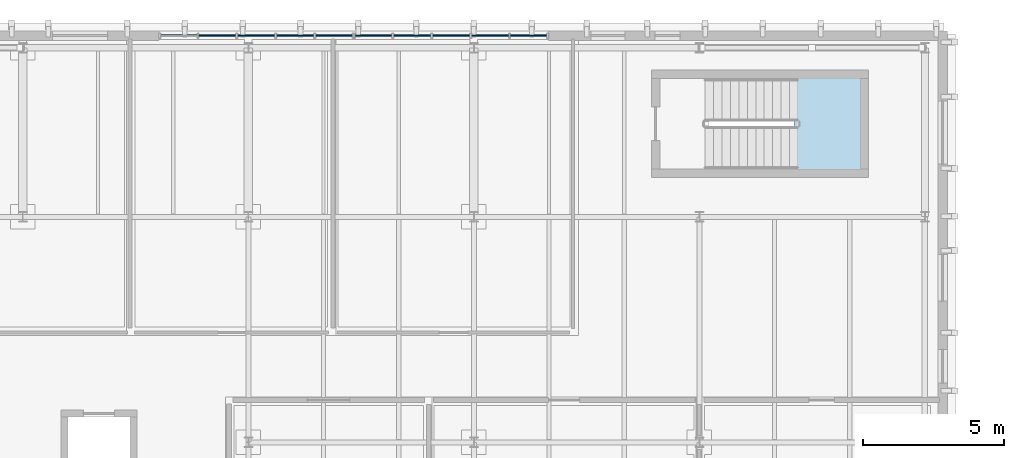
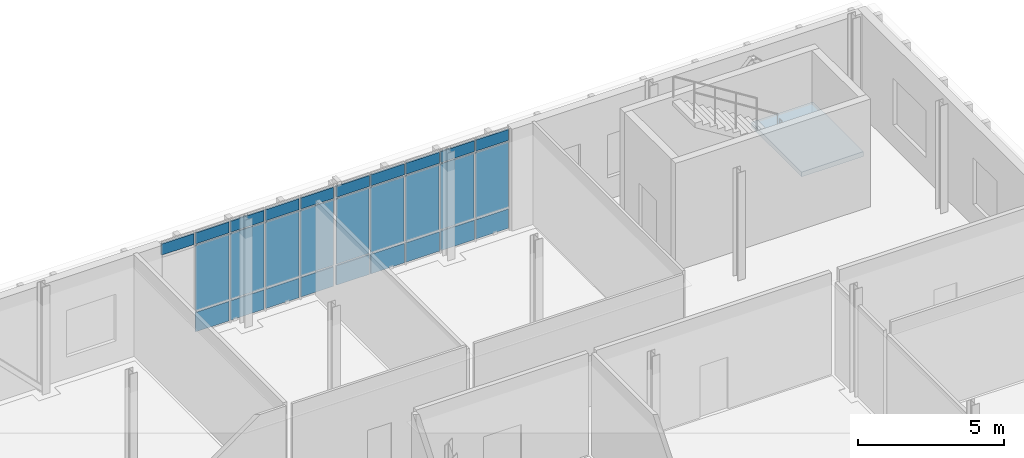
# One storey, part 52 of 86: 28 plates, 1 slab, 3 elements without a shape of their own.
"""IFC4 building model written with IfcOpenShell, lengths in metres."""

from ifc_helpers import new_model, si_unit, direction, frame, origin, origin_2d, place, context, subcontext, project, spatial, polyline, rectangle, outline, extrude, material, layer, layer_set, type_object, element, aggregate, save


model = new_model("IFC4")

# Units and contexts
model_context = context("Model", 3, precision=1e-05, world=origin(), true_north=direction((0.0, 1.0)))
body_context = subcontext(model_context, "Body", "Model", "MODEL_VIEW")
ifc_project = project(units=[si_unit("LENGTHUNIT", "METRE"), si_unit("AREAUNIT", "SQUARE_METRE"), si_unit("VOLUMEUNIT", "CUBIC_METRE"), si_unit("PLANEANGLEUNIT", "RADIAN"), si_unit("MASSUNIT", "GRAM", prefix="KILO")], contexts=[model_context])

# Site, building, storey
site_placement = place(None, origin())
site = spatial("IfcSite", under=ifc_project, at=site_placement, CompositionType="ELEMENT")
building_placement = place(site_placement, origin())
building = spatial("IfcBuilding", under=site, at=building_placement, Name="Cymarion Research Institute", CompositionType="ELEMENT")
storey_placement = place(building_placement, frame((0.0, 0.0, 13.800048828125)))
storey = spatial("IfcBuildingStorey", under=building, at=storey_placement, Name="L03", CompositionType="ELEMENT", Elevation=13.800048828125)

# Curtain wall, plates
ifc_material_1 = material(Name="Anodised aluminium unitised curtain wall with Low-E glazing", Category="aluminium")
curtain_wall_type = type_object("IfcCurtainWallType", Name="UNITISED CURTAIN WALL CW23 6910X4250", PredefinedType="NOTDEFINED", material=ifc_material_1)
curtain_wall_1_placement = place(storey_placement, origin())
curtain_wall_1 = element("IfcCurtainWall", 1, at=curtain_wall_1_placement, inside=storey, type_object=curtain_wall_type, Name="L03 V5 unitised curtain wall CW23 #162", PredefinedType="NOTDEFINED")
ifc_material_2 = material(Name="Insulated anodised aluminium spandrel panel", Category="aluminium")
ifc_layer_1 = layer(ifc_material_2, 0.06005859375)
ifc_layer_set_1 = layer_set([ifc_layer_1], Name="Insulated anodised aluminium spandrel panel")
plate_type_1 = type_object("IfcPlateType", Name="INSULATED ALUMINIUM SPANDREL PANEL SP01 60MM", PredefinedType="SHEET", material=ifc_layer_set_1)
plate_1_placement = place(storey_placement, frame((32.545654296875, 115.929931640625, 0.059814453125), z_axis=(0.0, 0.0, 1.0), x_axis=(-1.0, 0.0, 0.0)))
plate_1 = element("IfcPlate", 2, at=plate_1_placement, type_object=plate_type_1, Name="CW23 panel 1.1", PredefinedType="SHEET", context=body_context, shape_type="SweptSolid", body=[
    extrude(rectangle(XDim=1.29248046875, YDim=0.06005859375, at=origin_2d()), origin(), (0.0, 0.0, 1.0), 0.81005859375),
])
plate_2_placement = place(storey_placement, frame((32.545654296875, 115.929931640625, 3.72998046875), z_axis=(0.0, 0.0, 1.0), x_axis=(-1.0, 0.0, 0.0)))
plate_2 = element("IfcPlate", 3, at=plate_2_placement, type_object=plate_type_1, Name="CW23 panel 1.3", PredefinedType="SHEET", context=body_context, shape_type="SweptSolid", body=[
    extrude(rectangle(XDim=1.29248046875, YDim=0.06005859375, at=origin_2d()), origin(), (0.0, 0.0, 1.0), 0.4599609375),
])
plate_3_placement = place(storey_placement, frame((31.177978515625, 115.929931640625, 0.059814453125), z_axis=(0.0, 0.0, 1.0), x_axis=(-1.0, 0.0, 0.0)))
plate_3 = element("IfcPlate", 4, at=plate_3_placement, type_object=plate_type_1, Name="CW23 panel 2.1", PredefinedType="SHEET", context=body_context, shape_type="SweptSolid", body=[
    extrude(rectangle(XDim=1.322509765625, YDim=0.06005859375, at=origin_2d()), origin(), (0.0, 0.0, 1.0), 0.81005859375),
])
plate_4_placement = place(storey_placement, frame((31.177978515625, 115.929931640625, 3.72998046875), z_axis=(0.0, 0.0, 1.0), x_axis=(-1.0, 0.0, 0.0)))
plate_4 = element("IfcPlate", 5, at=plate_4_placement, type_object=plate_type_1, Name="CW23 panel 2.3", PredefinedType="SHEET", context=body_context, shape_type="SweptSolid", body=[
    extrude(rectangle(XDim=1.322509765625, YDim=0.06005859375, at=origin_2d()), origin(), (0.0, 0.0, 1.0), 0.4599609375),
])
plate_5_placement = place(storey_placement, frame((29.79541015625, 115.929931640625, 0.059814453125), z_axis=(0.0, 0.0, 1.0), x_axis=(-1.0, 0.0, 0.0)))
plate_5 = element("IfcPlate", 6, at=plate_5_placement, type_object=plate_type_1, Name="CW23 panel 3.1", PredefinedType="SHEET", context=body_context, shape_type="SweptSolid", body=[
    extrude(rectangle(XDim=1.322509765625, YDim=0.06005859375, at=origin_2d()), origin(), (0.0, 0.0, 1.0), 0.81005859375),
])
plate_6_placement = place(storey_placement, frame((29.79541015625, 115.929931640625, 3.72998046875), z_axis=(0.0, 0.0, 1.0), x_axis=(-1.0, 0.0, 0.0)))
plate_6 = element("IfcPlate", 7, at=plate_6_placement, type_object=plate_type_1, Name="CW23 panel 3.3", PredefinedType="SHEET", context=body_context, shape_type="SweptSolid", body=[
    extrude(rectangle(XDim=1.322509765625, YDim=0.06005859375, at=origin_2d()), origin(), (0.0, 0.0, 1.0), 0.4599609375),
])
plate_7_placement = place(storey_placement, frame((28.412841796875, 115.929931640625, 0.059814453125), z_axis=(0.0, 0.0, 1.0), x_axis=(-1.0, 0.0, 0.0)))
plate_7 = element("IfcPlate", 8, at=plate_7_placement, type_object=plate_type_1, Name="CW23 panel 4.1", PredefinedType="SHEET", context=body_context, shape_type="SweptSolid", body=[
    extrude(rectangle(XDim=1.322509765625, YDim=0.06005859375, at=origin_2d()), origin(), (0.0, 0.0, 1.0), 0.81005859375),
])
plate_8_placement = place(storey_placement, frame((28.412841796875, 115.929931640625, 3.72998046875), z_axis=(0.0, 0.0, 1.0), x_axis=(-1.0, 0.0, 0.0)))
plate_8 = element("IfcPlate", 9, at=plate_8_placement, type_object=plate_type_1, Name="CW23 panel 4.3", PredefinedType="SHEET", context=body_context, shape_type="SweptSolid", body=[
    extrude(rectangle(XDim=1.322509765625, YDim=0.06005859375, at=origin_2d()), origin(), (0.0, 0.0, 1.0), 0.4599609375),
])
plate_9_placement = place(storey_placement, frame((27.04541015625, 115.929931640625, 0.059814453125), z_axis=(0.0, 0.0, 1.0), x_axis=(-1.0, 0.0, 0.0)))
plate_9 = element("IfcPlate", 10, at=plate_9_placement, type_object=plate_type_1, Name="CW23 panel 5.1", PredefinedType="SHEET", context=body_context, shape_type="SweptSolid", body=[
    extrude(rectangle(XDim=1.29248046875, YDim=0.06005859375, at=origin_2d()), origin(), (0.0, 0.0, 1.0), 0.81005859375),
])
plate_10_placement = place(storey_placement, frame((27.04541015625, 115.929931640625, 3.72998046875), z_axis=(0.0, 0.0, 1.0), x_axis=(-1.0, 0.0, 0.0)))
plate_10 = element("IfcPlate", 11, at=plate_10_placement, type_object=plate_type_1, Name="CW23 panel 5.3", PredefinedType="SHEET", context=body_context, shape_type="SweptSolid", body=[
    extrude(rectangle(XDim=1.29248046875, YDim=0.06005859375, at=origin_2d()), origin(), (0.0, 0.0, 1.0), 0.4599609375),
])

curtain_wall_2_placement = place(storey_placement, origin())
curtain_wall_2 = element("IfcCurtainWall", 12, at=curtain_wall_2_placement, inside=storey, type_object=curtain_wall_type, Name="L03 V5 unitised curtain wall CW23 #163", PredefinedType="NOTDEFINED")
plate_11_placement = place(storey_placement, frame((25.6328125, 115.929931640625, 0.059814453125), z_axis=(0.0, 0.0, 1.0), x_axis=(-1.0, 0.0, 0.0)))
plate_11 = element("IfcPlate", 13, at=plate_11_placement, type_object=plate_type_1, Name="CW23 panel 1.1", PredefinedType="SHEET", context=body_context, shape_type="SweptSolid", body=[
    extrude(rectangle(XDim=1.29248046875, YDim=0.06005859375, at=origin_2d()), origin(), (0.0, 0.0, 1.0), 0.81005859375),
])
plate_12_placement = place(storey_placement, frame((25.6328125, 115.929931640625, 3.72998046875), z_axis=(0.0, 0.0, 1.0), x_axis=(-1.0, 0.0, 0.0)))
plate_12 = element("IfcPlate", 14, at=plate_12_placement, type_object=plate_type_1, Name="CW23 panel 1.3", PredefinedType="SHEET", context=body_context, shape_type="SweptSolid", body=[
    extrude(rectangle(XDim=1.29248046875, YDim=0.06005859375, at=origin_2d()), origin(), (0.0, 0.0, 1.0), 0.4599609375),
])
plate_13_placement = place(storey_placement, frame((24.26513671875, 115.929931640625, 0.059814453125), z_axis=(0.0, 0.0, 1.0), x_axis=(-1.0, 0.0, 0.0)))
plate_13 = element("IfcPlate", 15, at=plate_13_placement, type_object=plate_type_1, Name="CW23 panel 2.1", PredefinedType="SHEET", context=body_context, shape_type="SweptSolid", body=[
    extrude(rectangle(XDim=1.322509765625, YDim=0.06005859375, at=origin_2d()), origin(), (0.0, 0.0, 1.0), 0.81005859375),
])
plate_14_placement = place(storey_placement, frame((24.26513671875, 115.929931640625, 3.72998046875), z_axis=(0.0, 0.0, 1.0), x_axis=(-1.0, 0.0, 0.0)))
plate_14 = element("IfcPlate", 16, at=plate_14_placement, type_object=plate_type_1, Name="CW23 panel 2.3", PredefinedType="SHEET", context=body_context, shape_type="SweptSolid", body=[
    extrude(rectangle(XDim=1.322509765625, YDim=0.06005859375, at=origin_2d()), origin(), (0.0, 0.0, 1.0), 0.4599609375),
])
plate_15_placement = place(storey_placement, frame((22.882568359375, 115.929931640625, 0.059814453125), z_axis=(0.0, 0.0, 1.0), x_axis=(-1.0, 0.0, 0.0)))
plate_15 = element("IfcPlate", 17, at=plate_15_placement, type_object=plate_type_1, Name="CW23 panel 3.1", PredefinedType="SHEET", context=body_context, shape_type="SweptSolid", body=[
    extrude(rectangle(XDim=1.322509765625, YDim=0.06005859375, at=origin_2d()), origin(), (0.0, 0.0, 1.0), 0.81005859375),
])
plate_16_placement = place(storey_placement, frame((22.882568359375, 115.929931640625, 3.72998046875), z_axis=(0.0, 0.0, 1.0), x_axis=(-1.0, 0.0, 0.0)))
plate_16 = element("IfcPlate", 18, at=plate_16_placement, type_object=plate_type_1, Name="CW23 panel 3.3", PredefinedType="SHEET", context=body_context, shape_type="SweptSolid", body=[
    extrude(rectangle(XDim=1.322509765625, YDim=0.06005859375, at=origin_2d()), origin(), (0.0, 0.0, 1.0), 0.4599609375),
])
plate_17_placement = place(storey_placement, frame((21.5, 115.929931640625, 0.059814453125), z_axis=(0.0, 0.0, 1.0), x_axis=(-1.0, 0.0, 0.0)))
plate_17 = element("IfcPlate", 19, at=plate_17_placement, type_object=plate_type_1, Name="CW23 panel 4.1", PredefinedType="SHEET", context=body_context, shape_type="SweptSolid", body=[
    extrude(rectangle(XDim=1.322509765625, YDim=0.06005859375, at=origin_2d()), origin(), (0.0, 0.0, 1.0), 0.81005859375),
])
plate_18_placement = place(storey_placement, frame((21.5, 115.929931640625, 3.72998046875), z_axis=(0.0, 0.0, 1.0), x_axis=(-1.0, 0.0, 0.0)))
plate_18 = element("IfcPlate", 20, at=plate_18_placement, type_object=plate_type_1, Name="CW23 panel 4.3", PredefinedType="SHEET", context=body_context, shape_type="SweptSolid", body=[
    extrude(rectangle(XDim=1.322509765625, YDim=0.06005859375, at=origin_2d()), origin(), (0.0, 0.0, 1.0), 0.4599609375),
])
plate_19_placement = place(storey_placement, frame((20.13232421875, 115.929931640625, 3.72998046875), z_axis=(0.0, 0.0, 1.0), x_axis=(-1.0, 0.0, 0.0)))
plate_19 = element("IfcPlate", 21, at=plate_19_placement, type_object=plate_type_1, Name="CW23 panel 5.3", PredefinedType="SHEET", context=body_context, shape_type="SweptSolid", body=[
    extrude(rectangle(XDim=1.29248046875, YDim=0.06005859375, at=origin_2d()), origin(), (0.0, 0.0, 1.0), 0.4599609375),
])

# Stair, slab
ifc_material_3 = material(Name="Concrete C35/45", Category="concrete")
stair_type = type_object("IfcStairType", Name="REINFORCED CONCRETE DOGLEG STAIR STR-4500", PredefinedType="HALF_TURN_STAIR", material=ifc_material_3)
stair_placement = place(storey_placement, origin())
stair = element("IfcStair", 22, at=stair_placement, inside=storey, type_object=stair_type, Name="L03 Core C10 Smoke-Proof Exit Stair ST10", PredefinedType="HALF_TURN_STAIR")
ifc_layer_2 = layer(ifc_material_3, 0.199951171875)
ifc_layer_set_2 = layer_set([ifc_layer_2], Name="Concrete C35/45")
slab_type = type_object("IfcSlabType", Name="REINFORCED CONCRETE STAIR LANDING LDG200", PredefinedType="LANDING", material=ifc_layer_set_2)
slab_placement = place(storey_placement, frame((0.0, 0.0, 2.050048828125)))
slab = element("IfcSlab", 23, at=slab_placement, type_object=slab_type, Name="ST10 landing 1", PredefinedType="LANDING", context=body_context, shape_type="SweptSolid", body=[
    extrude(outline(polyline([(41.97998046875, 111.080078125), (41.97998046875, 114.52001953125), (44.419921875, 114.52001953125), (44.419921875, 111.080078125), (41.97998046875, 111.080078125)])), origin(), (0.0, 0.0, 1.0), 0.199951171875),
])
aggregate(stair, [slab])

# Plate
ifc_material_4 = material(Name="Low-E double solar-control glazing", Category="glass")
ifc_layer_3 = layer(ifc_material_4, 0.035888671875)
ifc_layer_set_3 = layer_set([ifc_layer_3], Name="Low-E double solar-control glazing")
plate_type_2 = type_object("IfcPlateType", Name="SOLAR CONTROL GLAZED VISION PANEL GP01 36MM", PredefinedType="CURTAIN_PANEL", material=ifc_layer_set_3)
plate_20_placement = place(storey_placement, frame((32.545654296875, 115.929931640625, 0.93017578125), z_axis=(0.0, 0.0, 1.0), x_axis=(-1.0, 0.0, 0.0)))
plate_20 = element("IfcPlate", 24, at=plate_20_placement, type_object=plate_type_2, Name="CW23 panel 1.2", PredefinedType="CURTAIN_PANEL", context=body_context, shape_type="SweptSolid", body=[
    extrude(rectangle(XDim=1.29248046875, YDim=0.035888671875, at=origin_2d()), origin(), (0.0, 0.0, 1.0), 2.739990234375),
])

plate_21_placement = place(storey_placement, frame((31.177978515625, 115.929931640625, 0.93017578125), z_axis=(0.0, 0.0, 1.0), x_axis=(-1.0, 0.0, 0.0)))
plate_21 = element("IfcPlate", 25, at=plate_21_placement, type_object=plate_type_2, Name="CW23 panel 2.2", PredefinedType="CURTAIN_PANEL", context=body_context, shape_type="SweptSolid", body=[
    extrude(rectangle(XDim=1.322509765625, YDim=0.035888671875, at=origin_2d()), origin(), (0.0, 0.0, 1.0), 2.739990234375),
])

plate_22_placement = place(storey_placement, frame((29.79541015625, 115.929931640625, 0.93017578125), z_axis=(0.0, 0.0, 1.0), x_axis=(-1.0, 0.0, 0.0)))
plate_22 = element("IfcPlate", 26, at=plate_22_placement, type_object=plate_type_2, Name="CW23 panel 3.2", PredefinedType="CURTAIN_PANEL", context=body_context, shape_type="SweptSolid", body=[
    extrude(rectangle(XDim=1.322509765625, YDim=0.035888671875, at=origin_2d()), origin(), (0.0, 0.0, 1.0), 2.739990234375),
])

plate_23_placement = place(storey_placement, frame((28.412841796875, 115.929931640625, 0.93017578125), z_axis=(0.0, 0.0, 1.0), x_axis=(-1.0, 0.0, 0.0)))
plate_23 = element("IfcPlate", 27, at=plate_23_placement, type_object=plate_type_2, Name="CW23 panel 4.2", PredefinedType="CURTAIN_PANEL", context=body_context, shape_type="SweptSolid", body=[
    extrude(rectangle(XDim=1.322509765625, YDim=0.035888671875, at=origin_2d()), origin(), (0.0, 0.0, 1.0), 2.739990234375),
])

plate_24_placement = place(storey_placement, frame((27.04541015625, 115.929931640625, 0.93017578125), z_axis=(0.0, 0.0, 1.0), x_axis=(-1.0, 0.0, 0.0)))
plate_24 = element("IfcPlate", 28, at=plate_24_placement, type_object=plate_type_2, Name="CW23 panel 5.2", PredefinedType="CURTAIN_PANEL", context=body_context, shape_type="SweptSolid", body=[
    extrude(rectangle(XDim=1.29248046875, YDim=0.035888671875, at=origin_2d()), origin(), (0.0, 0.0, 1.0), 2.739990234375),
])

aggregate(curtain_wall_1, [plate_1, plate_20, plate_2, plate_3, plate_21, plate_4, plate_5, plate_22, plate_6, plate_7, plate_23, plate_8, plate_9, plate_24, plate_10])

plate_25_placement = place(storey_placement, frame((25.6328125, 115.929931640625, 0.93017578125), z_axis=(0.0, 0.0, 1.0), x_axis=(-1.0, 0.0, 0.0)))
plate_25 = element("IfcPlate", 29, at=plate_25_placement, type_object=plate_type_2, Name="CW23 panel 1.2", PredefinedType="CURTAIN_PANEL", context=body_context, shape_type="SweptSolid", body=[
    extrude(rectangle(XDim=1.29248046875, YDim=0.035888671875, at=origin_2d()), origin(), (0.0, 0.0, 1.0), 2.739990234375),
])

plate_26_placement = place(storey_placement, frame((24.26513671875, 115.929931640625, 0.93017578125), z_axis=(0.0, 0.0, 1.0), x_axis=(-1.0, 0.0, 0.0)))
plate_26 = element("IfcPlate", 30, at=plate_26_placement, type_object=plate_type_2, Name="CW23 panel 2.2", PredefinedType="CURTAIN_PANEL", context=body_context, shape_type="SweptSolid", body=[
    extrude(rectangle(XDim=1.322509765625, YDim=0.035888671875, at=origin_2d()), origin(), (0.0, 0.0, 1.0), 2.739990234375),
])

plate_27_placement = place(storey_placement, frame((22.882568359375, 115.929931640625, 0.93017578125), z_axis=(0.0, 0.0, 1.0), x_axis=(-1.0, 0.0, 0.0)))
plate_27 = element("IfcPlate", 31, at=plate_27_placement, type_object=plate_type_2, Name="CW23 panel 3.2", PredefinedType="CURTAIN_PANEL", context=body_context, shape_type="SweptSolid", body=[
    extrude(rectangle(XDim=1.322509765625, YDim=0.035888671875, at=origin_2d()), origin(), (0.0, 0.0, 1.0), 2.739990234375),
])

plate_28_placement = place(storey_placement, frame((21.5, 115.929931640625, 0.93017578125), z_axis=(0.0, 0.0, 1.0), x_axis=(-1.0, 0.0, 0.0)))
plate_28 = element("IfcPlate", 32, at=plate_28_placement, type_object=plate_type_2, Name="CW23 panel 4.2", PredefinedType="CURTAIN_PANEL", context=body_context, shape_type="SweptSolid", body=[
    extrude(rectangle(XDim=1.322509765625, YDim=0.035888671875, at=origin_2d()), origin(), (0.0, 0.0, 1.0), 2.739990234375),
])

aggregate(curtain_wall_2, [plate_11, plate_25, plate_12, plate_13, plate_26, plate_14, plate_15, plate_27, plate_16, plate_17, plate_28, plate_18, plate_19])

save(model, "model.ifc")
